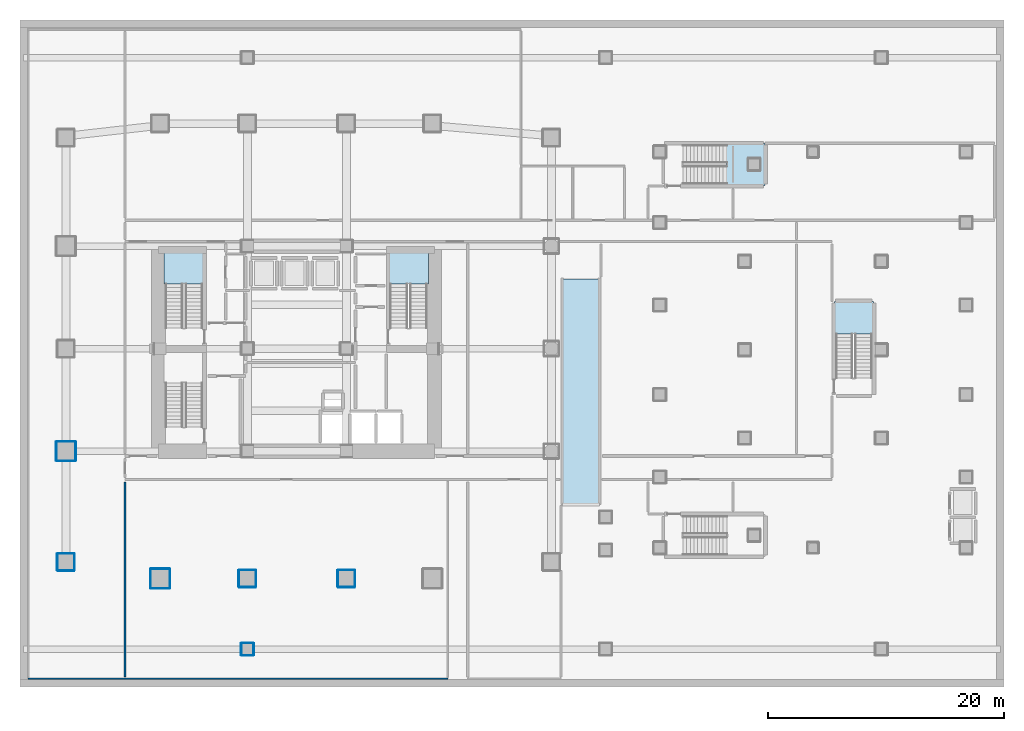
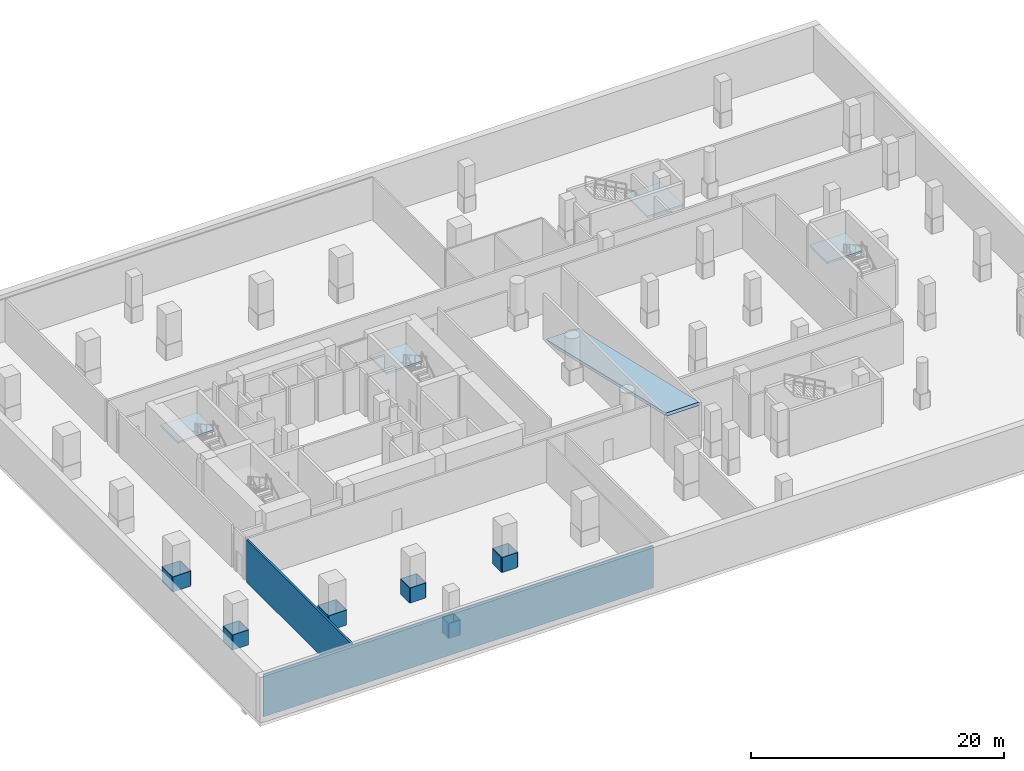
# One storey, part 2 of 15: 26 walls, 5 slabs, 4 elements without a shape of their own.
"""IFC4 building model written with IfcOpenShell, lengths in metres."""

import ifcopenshell
import ifcopenshell.guid

model = None  # the IFC model being written
_history = None  # IfcOwnerHistory: only IFC2X3 demands one
_inside = {}  # id of a spatial element -> (the spatial element, [elements in it])
_under = {}  # id of a project, library or spatial element -> (it, [spatial elements below it])
_declared = {}  # id of a project -> (the project, [libraries it declares])
_typed = {}  # id of a type object -> (the type object, [elements of that type])
_made_of = {}  # id of a material, layer set ... -> (it, [elements and type objects made of it])


def new_model(schema):
    """Start an empty IFC model of exactly this schema.

    Asked for "IFC4X3", IfcOpenShell would pick the latest addendum, in which some entities
    have other attributes; the version numbers below select the first issue.
    IFC2X3 requires an IfcOwnerHistory on every rooted entity: one is made here for all.
    """
    global model, _history
    if schema == "IFC4X3":
        model = ifcopenshell.file(schema_version=(4, 3, 0, 0))
    else:
        model = ifcopenshell.file(schema=schema)
    _inside.clear()
    _under.clear()
    _declared.clear()
    _typed.clear()
    _made_of.clear()
    _history = None
    if model.schema == "IFC2X3":
        org = make("IfcOrganization", Name="unknown")
        user = make(
            "IfcPersonAndOrganization",
            ThePerson=make("IfcPerson", FamilyName="unknown"),
            TheOrganization=org,
        )
        app = make(
            "IfcApplication",
            ApplicationDeveloper=org,
            Version="unknown",
            ApplicationFullName="unknown",
            ApplicationIdentifier="unknown",
        )
        _history = make(
            "IfcOwnerHistory",
            OwningUser=user,
            OwningApplication=app,
            ChangeAction="ADDED",
            CreationDate=0,
        )
    return model


def make(cls, **values):
    """One entity of the class cls with the attributes given. An attribute that is None is left unset."""
    return model.create_entity(
        cls, **{name: value for name, value in values.items() if value is not None}
    )


def rooted(cls, **values):
    """An entity with a GlobalId (a new one), such as an element, a storey or a relation."""
    return make(cls, GlobalId=ifcopenshell.guid.new(), OwnerHistory=_history, **values)


def si_unit(unit_type, name, prefix=None):
    """IfcSIUnit, for example si_unit("LENGTHUNIT", "METRE", prefix="MILLI")."""
    return make("IfcSIUnit", UnitType=unit_type, Prefix=prefix, Name=name)


def assignment(units):
    """IfcUnitAssignment: the units of a project."""
    return None if units is None else make("IfcUnitAssignment", Units=units)


def point(xyz):
    """IfcCartesianPoint."""
    return None if xyz is None else make("IfcCartesianPoint", Coordinates=xyz)


def direction(xyz):
    """IfcDirection."""
    return None if xyz is None else make("IfcDirection", DirectionRatios=xyz)


def frame(location, z_axis=None, x_axis=None):
    """IfcAxis2Placement3D, a coordinate frame: its origin and axes. An axis left out is left unset."""
    return make(
        "IfcAxis2Placement3D",
        Location=point(location),
        Axis=direction(z_axis),
        RefDirection=direction(x_axis),
    )


def frame_2d(location, x_axis=None):
    """IfcAxis2Placement2D, a coordinate frame in the plane: its origin and x axis."""
    return make(
        "IfcAxis2Placement2D", Location=point(location), RefDirection=direction(x_axis)
    )


def origin():
    """The frame at (0, 0, 0) with its axes left unset."""
    return frame((0.0, 0.0, 0.0))


def origin_with_axes():
    """The frame at (0, 0, 0) with the z axis (0, 0, 1) and the x axis (1, 0, 0) written out."""
    return frame((0.0, 0.0, 0.0), z_axis=(0.0, 0.0, 1.0), x_axis=(1.0, 0.0, 0.0))


def place(relative_to, where):
    """IfcLocalPlacement: puts the frame where relative to a parent placement (None: the world)."""
    return make(
        "IfcLocalPlacement", PlacementRelTo=relative_to, RelativePlacement=where
    )


def context(
    kind, dimensions, precision=None, world=None, true_north=None, identifier=None
):
    """IfcGeometricRepresentationContext, for example the 3D "Model" context."""
    return make(
        "IfcGeometricRepresentationContext",
        ContextIdentifier=identifier,
        ContextType=kind,
        CoordinateSpaceDimension=dimensions,
        Precision=precision,
        WorldCoordinateSystem=world,
        TrueNorth=true_north,
    )


def subcontext(parent, identifier, kind, view, scale=None):
    """IfcGeometricRepresentationSubContext, for example "Body" below "Model"."""
    return make(
        "IfcGeometricRepresentationSubContext",
        ContextIdentifier=identifier,
        ContextType=kind,
        ParentContext=parent,
        TargetScale=scale,
        TargetView=view,
    )


def project(units=None, contexts=None):
    """IfcProject with its units and contexts."""
    return rooted(
        "IfcProject",
        Name="project",
        RepresentationContexts=contexts,
        UnitsInContext=assignment(units),
    )


def spatial(cls, under=None, at=None, **own):
    """A site, building, storey or space (cls), placed at a placement, below another one or the project."""
    s = rooted(cls, ObjectPlacement=at, **own)
    if under is not None:
        _under.setdefault(under.id(), (under, []))[1].append(s)
    return s


def polyline(points):
    """IfcPolyline through the points."""
    return make("IfcPolyline", Points=[point(p) for p in points])


def profile(cls, at=None, kind="AREA", **sizes):
    """A parametric profile (cls). Its sizes go by their IFC names, for example OverallWidth=200.0."""
    return make(cls, ProfileType=kind, Position=at, **sizes)


def rectangle(**sizes):
    """IfcRectangleProfileDef."""
    return profile("IfcRectangleProfileDef", **sizes)


def outline(outer, holes=None, kind="AREA"):
    """IfcArbitraryClosedProfileDef: a profile drawn as a closed curve; with holes, ...WithVoids."""
    if holes is None:
        return make("IfcArbitraryClosedProfileDef", ProfileType=kind, OuterCurve=outer)
    return make(
        "IfcArbitraryProfileDefWithVoids",
        ProfileType=kind,
        OuterCurve=outer,
        InnerCurves=holes,
    )


def extrude(swept, where, along, depth):
    """IfcExtrudedAreaSolid: the profile swept, set in the frame where, extruded along a direction by depth."""
    return make(
        "IfcExtrudedAreaSolid",
        SweptArea=swept,
        Position=where,
        ExtrudedDirection=direction(along),
        Depth=depth,
    )


def clip(a, b, op="DIFFERENCE"):
    """IfcBooleanClippingResult: the solid a cut by the half space b."""
    return make(
        "IfcBooleanClippingResult", Operator=op, FirstOperand=a, SecondOperand=b
    )


def halfspace(plane, agree):
    """IfcHalfSpaceSolid: all space on one side of the plane z = 0 of the frame plane."""
    return make(
        "IfcHalfSpaceSolid",
        BaseSurface=make("IfcPlane", Position=plane),
        AgreementFlag=agree,
    )


def shape(context_of_items, identifier, shape_type, items):
    """IfcShapeRepresentation: the items that make up one representation, for example the "Body"."""
    return make(
        "IfcShapeRepresentation",
        ContextOfItems=context_of_items,
        RepresentationIdentifier=identifier,
        RepresentationType=shape_type,
        Items=items,
    )


def material(Name=None, Category=None):
    """IfcMaterial."""
    return make("IfcMaterial", Name=Name, Category=Category)


def layer(
    of_material, thickness, ventilated=None, Name=None, Category=None, Priority=None
):
    """IfcMaterialLayer: one layer of a wall or slab, of a material (None: an air gap)."""
    return make(
        "IfcMaterialLayer",
        Material=of_material,
        LayerThickness=thickness,
        IsVentilated=ventilated,
        Name=Name,
        Category=Category,
        Priority=Priority,
    )


def layer_set(layers, Name=None):
    """IfcMaterialLayerSet."""
    return make("IfcMaterialLayerSet", MaterialLayers=layers, LayerSetName=Name)


def made_of(thing, what):
    """Note that an element or type object is made of a material, layer set ...; save() writes the relation."""
    if what is not None:
        _made_of.setdefault(what.id(), (what, []))[1].append(thing)
    return thing


def type_object(cls, material=None, **own):
    """A type object (cls), such as IfcWallType, which elements share."""
    return made_of(rooted(cls, **own), material)


def element(
    cls,
    number,
    at=None,
    inside=None,
    cuts=None,
    type_object=None,
    material=None,
    context=None,
    identifier="Body",
    shape_type=None,
    held_by="IfcProductDefinitionShape",
    body=None,
    shapes=None,
    **own,
):
    """One element of the class cls, such as IfcWall. Its Tag is "e" and its number.

    at: its placement. inside: the storey or other place that contains it. cuts: it is an
    opening in that element (IfcRelVoidsElement). A single representation is given by context,
    identifier, shape_type and body (its items); several are given by shapes. held_by: the class
    of the entity that holds the representations. save() writes the other relations.
    """
    e = rooted(cls, Tag="e%d" % number, ObjectPlacement=at, **own)
    if body is not None:
        shapes = [shape(context, identifier, shape_type, body)]
    if shapes is not None:
        e.Representation = make(held_by, Representations=shapes)
    if inside is not None:
        _inside.setdefault(inside.id(), (inside, []))[1].append(e)
    if cuts is not None:
        rooted(
            "IfcRelVoidsElement", RelatingBuildingElement=cuts, RelatedOpeningElement=e
        )
    if type_object is not None:
        _typed.setdefault(type_object.id(), (type_object, []))[1].append(e)
    return made_of(e, material)


def aggregate(whole, parts):
    """IfcRelAggregates: a whole, such as a stair, and the parts it consists of."""
    return rooted("IfcRelAggregates", RelatingObject=whole, RelatedObjects=parts)


def save(model, path):
    """Write the relations noted so far, then the file.

    IfcRelAggregates (storeys below a building ...), IfcRelContainedInSpatialStructure (elements
    in a storey), IfcRelDefinesByType, IfcRelAssociatesMaterial and IfcRelDeclares: one each for
    every whole, place, type object, material and project.
    """
    for whole, parts in _under.values():
        aggregate(whole, parts)
    for where, things in _inside.values():
        rooted(
            "IfcRelContainedInSpatialStructure",
            RelatedElements=things,
            RelatingStructure=where,
        )
    for kind, things in _typed.values():
        rooted("IfcRelDefinesByType", RelatedObjects=things, RelatingType=kind)
    for what, things in _made_of.values():
        rooted("IfcRelAssociatesMaterial", RelatedObjects=things, RelatingMaterial=what)
    for by, libraries in _declared.values():
        rooted("IfcRelDeclares", RelatingContext=by, RelatedDefinitions=libraries)
    model.write(path)


model = new_model("IFC4")

# Units and contexts
model_context = context("Model", 3, precision=1e-05, world=origin(), true_north=direction((0.0, 1.0)))
body_context = subcontext(model_context, "Body", "Model", "MODEL_VIEW")
ifc_project = project(units=[si_unit("LENGTHUNIT", "METRE"), si_unit("AREAUNIT", "SQUARE_METRE"), si_unit("VOLUMEUNIT", "CUBIC_METRE"), si_unit("PLANEANGLEUNIT", "RADIAN"), si_unit("MASSUNIT", "GRAM", prefix="KILO")], contexts=[model_context])

# Site, building, storey
site_placement = place(None, origin())
site = spatial("IfcSite", under=ifc_project, at=site_placement, CompositionType="ELEMENT")
building_placement = place(site_placement, origin())
building = spatial("IfcBuilding", under=site, at=building_placement, Name="Solanera Arch Residences", CompositionType="ELEMENT")
storey_placement = place(building_placement, frame((0.0, 0.0, -8.800048828125)))
storey = spatial("IfcBuildingStorey", under=building, at=storey_placement, Name="B02", CompositionType="ELEMENT", Elevation=-8.800048828125)

# Slab
ifc_material_1 = material(Name="Concrete C40/50 (f'c = 45 MPa)", Category="concrete")
ifc_layer_1 = layer(ifc_material_1, 0.280029296875)
ifc_layer_set_1 = layer_set([ifc_layer_1], Name="Concrete C40/50 (f'c = 45 MPa)")
slab_type_1 = type_object("IfcSlabType", Name="Reinforced Concrete Vehicle Ramp Slab 280", PredefinedType="FLOOR", material=ifc_layer_set_1)
slab_1_placement = place(storey_placement, origin())
element("IfcSlab", 1, at=slab_1_placement, inside=storey, type_object=slab_type_1, Name="B02 to B01 Two-Way Vehicle Ramp Slab", PredefinedType="FLOOR", context=body_context, shape_type="Clipping", body=[
    clip(extrude(outline(polyline([(0.0, 0.0), (3.0400390625, 0.0), (3.0400390625, -19.52235723607908), (0.0, -19.52235723607908), (0.0, 0.0)])), frame((47.580078125, 36.610107421875, 0.0), z_axis=(0.0, 0.225390122267, 0.974268593759), x_axis=(1.0, 0.0, 0.0)), (0.0, 0.0, -1.0), 0.280029296875), halfspace(origin_with_axes(), True)),
])

# Stair, slab
ifc_material_2 = material(Name="Concrete C40/50 (f'c = 45 MPa)", Category="concrete")
stair_type_1 = type_object("IfcStairType", Name="Tower Dogleg Exit Stair 1480", PredefinedType="HALF_TURN_STAIR", material=ifc_material_2)
stair_1_placement = place(storey_placement, origin())
stair_1 = element("IfcStair", 2, at=stair_1_placement, inside=storey, type_object=stair_type_1, Name="B02 Tower Core Exit Stair 1", PredefinedType="HALF_TURN_STAIR")
ifc_material_3 = material(Name="Concrete C40/50 (f'c = 45 MPa)", Category="concrete")
ifc_layer_2 = layer(ifc_material_3, 0.199951171875)
ifc_layer_set_2 = layer_set([ifc_layer_2], Name="Concrete C40/50 (f'c = 45 MPa)")
slab_type_2 = type_object("IfcSlabType", Name="Stair Half-Landing Slab 200", PredefinedType="LANDING", material=ifc_layer_set_2)
slab_2_placement = place(storey_placement, frame((0.0, 0.0, 2.0)))
slab_2 = element("IfcSlab", 3, at=slab_2_placement, type_object=slab_type_2, Name="ST-T1 landing 1", PredefinedType="LANDING", context=body_context, shape_type="SweptSolid", body=[
    extrude(outline(polyline([(17.1201171875, 36.18994140625), (17.1201171875, 38.919921875), (13.719970703125, 38.919921875), (13.719970703125, 36.18994140625), (17.1201171875, 36.18994140625)])), origin(), (0.0, 0.0, 1.0), 0.199951171875),
])
aggregate(stair_1, [slab_2])

stair_2_placement = place(storey_placement, origin())
stair_2 = element("IfcStair", 4, at=stair_2_placement, inside=storey, type_object=stair_type_1, Name="B02 Tower Core Exit Stair 2", PredefinedType="HALF_TURN_STAIR")
slab_3_placement = place(storey_placement, frame((0.0, 0.0, 2.0)))
slab_3 = element("IfcSlab", 5, at=slab_3_placement, type_object=slab_type_2, Name="ST-T2 landing 1", PredefinedType="LANDING", context=body_context, shape_type="SweptSolid", body=[
    extrude(outline(polyline([(36.179931640625, 36.18994140625), (36.179931640625, 38.919921875), (32.780029296875, 38.919921875), (32.780029296875, 36.18994140625), (36.179931640625, 36.18994140625)])), origin(), (0.0, 0.0, 1.0), 0.199951171875),
])
aggregate(stair_2, [slab_3])

ifc_material_4 = material(Name="Concrete C40/50 (f'c = 45 MPa)", Category="concrete")
stair_type_2 = type_object("IfcStairType", Name="Arena Dogleg Exit Stair 1560", PredefinedType="HALF_TURN_STAIR", material=ifc_material_4)
stair_3_placement = place(storey_placement, origin())
stair_3 = element("IfcStair", 6, at=stair_3_placement, inside=storey, type_object=stair_type_2, Name="B02 Sports Hall North Exit Stair", PredefinedType="HALF_TURN_STAIR")
slab_4_placement = place(storey_placement, frame((0.0, 0.0, 2.0)))
slab_4 = element("IfcSlab", 7, at=slab_4_placement, type_object=slab_type_2, Name="ST-H2 landing 1", PredefinedType="LANDING", context=body_context, shape_type="SweptSolid", body=[
    extrude(outline(polyline([(61.469970703125, 44.56005859375), (64.719970703125, 44.56005859375), (64.719970703125, 48.1201171875), (61.469970703125, 48.1201171875), (61.469970703125, 44.56005859375)])), origin(), (0.0, 0.0, 1.0), 0.199951171875),
])
aggregate(stair_3, [slab_4])

ifc_material_5 = material(Name="Concrete C40/50 (f'c = 45 MPa)", Category="concrete")
stair_type_3 = type_object("IfcStairType", Name="Basement Exit Stair 1440", PredefinedType="HALF_TURN_STAIR", material=ifc_material_5)
stair_4_placement = place(storey_placement, origin())
stair_4 = element("IfcStair", 8, at=stair_4_placement, inside=storey, type_object=stair_type_3, Name="B02 Basement Car Park Exit Stair", PredefinedType="HALF_TURN_STAIR")
slab_5_placement = place(storey_placement, frame((0.0, 0.0, 2.0)))
slab_5 = element("IfcSlab", 9, at=slab_5_placement, type_object=slab_type_2, Name="ST-B1 landing 1", PredefinedType="LANDING", context=body_context, shape_type="SweptSolid", body=[
    extrude(outline(polyline([(73.919921875, 31.949951171875), (73.919921875, 34.719970703125), (70.60009765625, 34.719970703125), (70.60009765625, 31.949951171875), (73.919921875, 31.949951171875)])), origin(), (0.0, 0.0, 1.0), 0.199951171875),
])
aggregate(stair_4, [slab_5])

# Walls
ifc_material_6 = material(Name="Fire-Rated Gypsum Stud Partition", Category="gypsum")
ifc_layer_3 = layer(ifc_material_6, 0.06005859375)
ifc_layer_set_3 = layer_set([ifc_layer_3], Name="Fire-Rated Gypsum Stud Partition")
wall_type_1 = type_object("IfcWallType", Name="Column Acoustic Furring Wall 60", PredefinedType="PARTITIONING", material=ifc_layer_set_3)
for number, where, z_axis, x_axis, name in (
    (10, (12.60009765625, 10.367919921875, 0.0), (0.0, 0.0, 1.0), (1.0, 0.0, 0.0), "B02 Column Furring 9S"),
    (11, (12.60009765625, 12.031982421875, 0.0), (0.0, 0.0, 1.0), (1.0, 0.0, 0.0), "B02 Column Furring 9N"),
):
    element("IfcWall", number, at=place(storey_placement, frame(where, z_axis=z_axis, x_axis=x_axis)), inside=storey, type_object=wall_type_1, Name=name, PredefinedType="PARTITIONING", context=body_context, shape_type="SweptSolid", body=[
        extrude(rectangle(XDim=1.599853515625, YDim=0.06005859375, at=frame_2d((0.7998046875, 0.0))), origin(), (0.0, 0.0, 1.0), 1.449951171875),
    ])
for number, where, z_axis, x_axis, name in (
    (12, (12.568115234375, 10.39990234375, 0.0), (0.0, 0.0, 1.0), (0.0, 1.0, 0.0), "B02 Column Furring 9W"),
    (13, (14.23193359375, 10.39990234375, 0.0), (0.0, 0.0, 1.0), (0.0, 1.0, 0.0), "B02 Column Furring 9E"),
):
    element("IfcWall", number, at=place(storey_placement, frame(where, z_axis=z_axis, x_axis=x_axis)), inside=storey, type_object=wall_type_1, Name=name, PredefinedType="PARTITIONING", context=body_context, shape_type="SweptSolid", body=[
        extrude(rectangle(XDim=1.60009765625, YDim=0.06005859375, at=frame_2d((0.800048828125, 0.0))), origin(), (0.0, 0.0, 1.0), 1.449951171875),
    ])
for number, where, z_axis, x_axis, name in (
    (14, (4.60009765625, 21.16796875, 0.0), (0.0, 0.0, 1.0), (1.0, 0.0, 0.0), "B02 Column Furring 15S"),
    (15, (4.60009765625, 22.83203125, 0.0), (0.0, 0.0, 1.0), (1.0, 0.0, 0.0), "B02 Column Furring 15N"),
):
    element("IfcWall", number, at=place(storey_placement, frame(where, z_axis=z_axis, x_axis=x_axis)), inside=storey, type_object=wall_type_1, Name=name, PredefinedType="PARTITIONING", context=body_context, shape_type="SweptSolid", body=[
        extrude(rectangle(XDim=1.599853515625, YDim=0.06005859375, at=frame_2d((0.7998046875, 0.0))), origin(), (0.0, 0.0, 1.0), 1.449951171875),
    ])
for number, where, z_axis, x_axis, name in (
    (16, (4.568115234375, 21.199951171875, 0.0), (0.0, 0.0, 1.0), (0.0, 1.0, 0.0), "B02 Column Furring 15W"),
    (17, (6.23193359375, 21.199951171875, 0.0), (0.0, 0.0, 1.0), (0.0, 1.0, 0.0), "B02 Column Furring 15E"),
):
    element("IfcWall", number, at=place(storey_placement, frame(where, z_axis=z_axis, x_axis=x_axis)), inside=storey, type_object=wall_type_1, Name=name, PredefinedType="PARTITIONING", context=body_context, shape_type="SweptSolid", body=[
        extrude(rectangle(XDim=1.60009765625, YDim=0.06005859375, at=frame_2d((0.800048828125, 0.0))), origin(), (0.0, 0.0, 1.0), 1.449951171875),
    ])
for number, where, z_axis, x_axis, name in (
    (18, (4.699951171875, 11.867919921875, 0.0), (0.0, 0.0, 1.0), (1.0, 0.0, 0.0), "B02 Column Furring 21S"),
    (19, (4.699951171875, 13.33203125, 0.0), (0.0, 0.0, 1.0), (1.0, 0.0, 0.0), "B02 Column Furring 21N"),
    (20, (4.66796875, 11.89990234375, 0.0), (0.0, 0.0, 1.0), (0.0, 1.0, 0.0), "B02 Column Furring 21W"),
    (21, (6.132080078125, 11.89990234375, 0.0), (0.0, 0.0, 1.0), (0.0, 1.0, 0.0), "B02 Column Furring 21E"),
):
    element("IfcWall", number, at=place(storey_placement, frame(where, z_axis=z_axis, x_axis=x_axis)), inside=storey, type_object=wall_type_1, Name=name, PredefinedType="PARTITIONING", context=body_context, shape_type="SweptSolid", body=[
        extrude(rectangle(XDim=1.400146484375, YDim=0.06005859375, at=frame_2d((0.7001953125, 0.0))), origin(), (0.0, 0.0, 1.0), 1.449951171875),
    ])
for number, where, z_axis, x_axis, name in (
    (22, (20.10009765625, 10.468017578125, 0.0), (0.0, 0.0, 1.0), (1.0, 0.0, 0.0), "B02 Column Furring 25S"),
    (23, (20.10009765625, 11.931884765625, 0.0), (0.0, 0.0, 1.0), (1.0, 0.0, 0.0), "B02 Column Furring 25N"),
    (24, (20.068115234375, 10.5, 0.0), (0.0, 0.0, 1.0), (0.0, 1.0, 0.0), "B02 Column Furring 25W"),
    (25, (21.531982421875, 10.5, 0.0), (0.0, 0.0, 1.0), (0.0, 1.0, 0.0), "B02 Column Furring 25E"),
    (26, (28.5, 10.468017578125, 0.0), (0.0, 0.0, 1.0), (1.0, 0.0, 0.0), "B02 Column Furring 26S"),
    (27, (28.5, 11.931884765625, 0.0), (0.0, 0.0, 1.0), (1.0, 0.0, 0.0), "B02 Column Furring 26N"),
    (28, (28.468017578125, 10.5, 0.0), (0.0, 0.0, 1.0), (0.0, 1.0, 0.0), "B02 Column Furring 26W"),
    (29, (29.931884765625, 10.5, 0.0), (0.0, 0.0, 1.0), (0.0, 1.0, 0.0), "B02 Column Furring 26E"),
):
    element("IfcWall", number, at=place(storey_placement, frame(where, z_axis=z_axis, x_axis=x_axis)), inside=storey, type_object=wall_type_1, Name=name, PredefinedType="PARTITIONING", context=body_context, shape_type="SweptSolid", body=[
        extrude(rectangle(XDim=1.39990234375, YDim=0.06005859375, at=frame_2d((0.699951171875, 0.0))), origin(), (0.0, 0.0, 1.0), 1.449951171875),
    ])
for number, where, z_axis, x_axis, name in (
    (30, (20.300048828125, 4.66796875, 0.0), (0.0, 0.0, 1.0), (1.0, 0.0, 0.0), "B02 Column Furring 35S"),
    (31, (20.300048828125, 5.73193359375, 0.0), (0.0, 0.0, 1.0), (1.0, 0.0, 0.0), "B02 Column Furring 35N"),
    (32, (20.26806640625, 4.699951171875, 0.0), (0.0, 0.0, 1.0), (0.0, 1.0, 0.0), "B02 Column Furring 35W"),
    (33, (21.33203125, 4.699951171875, 0.0), (0.0, 0.0, 1.0), (0.0, 1.0, 0.0), "B02 Column Furring 35E"),
):
    element("IfcWall", number, at=place(storey_placement, frame(where, z_axis=z_axis, x_axis=x_axis)), inside=storey, type_object=wall_type_1, Name=name, PredefinedType="PARTITIONING", context=body_context, shape_type="SweptSolid", body=[
        extrude(rectangle(XDim=1.0, YDim=0.06005859375, at=frame_2d((0.5, 0.0))), origin(), (0.0, 0.0, 1.0), 1.449951171875),
    ])
ifc_material_7 = material(Name="Autoclaved Aerated Concrete Blockwork", Category="masonry")
ifc_layer_4 = layer(ifc_material_7, 0.179931640625)
ifc_layer_set_4 = layer_set([ifc_layer_4], Name="Autoclaved Aerated Concrete Blockwork")
wall_type_2 = type_object("IfcWallType", Name="Corridor Fire Partition 180", PredefinedType="PARTITIONING", material=ifc_layer_set_4)
wall_1_placement = place(storey_placement, frame((10.39990234375, 2.85791015625, 0.0), z_axis=(0.0, 0.0, 1.0), x_axis=(0.0, 1.0, 0.0)))
element("IfcWall", 34, at=wall_1_placement, inside=storey, type_object=wall_type_2, Name="B02 Interior Partition V10 1", PredefinedType="PARTITIONING", context=body_context, shape_type="SweptSolid", body=[
    extrude(rectangle(XDim=16.55419921875, YDim=0.179931640625, at=frame_2d((8.277099609375, 0.0))), origin(), (0.0, 0.0, 1.0), 4.10009765625),
])
ifc_material_8 = material(Name="Fire-Rated Gypsum Stud Partition", Category="gypsum")
ifc_layer_5 = layer(ifc_material_8, 0.1201171875)
ifc_layer_set_5 = layer_set([ifc_layer_5], Name="Fire-Rated Gypsum Stud Partition")
wall_type_3 = type_object("IfcWallType", Name="Unit Drywall Partition 120", PredefinedType="PARTITIONING", material=ifc_layer_set_5)
wall_2_placement = place(storey_placement, frame((2.199951171875, 2.699951171875, 0.0), z_axis=(0.0, 0.0, 1.0), x_axis=(1.0, 0.0, 0.0)))
element("IfcWall", 35, at=wall_2_placement, inside=storey, type_object=wall_type_3, Name="B02 Interior Partition H20", PredefinedType="PARTITIONING", context=body_context, shape_type="SweptSolid", body=[
    extrude(rectangle(XDim=35.60009765625, YDim=0.1201171875, at=frame_2d((17.800048828125, 0.0))), origin(), (0.0, 0.0, 1.0), 4.10009765625),
])

save(model, "model.ifc")
